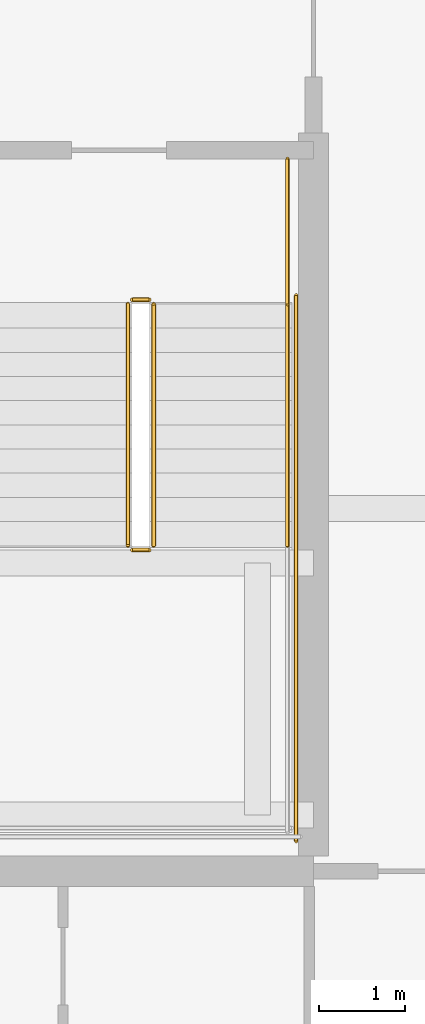
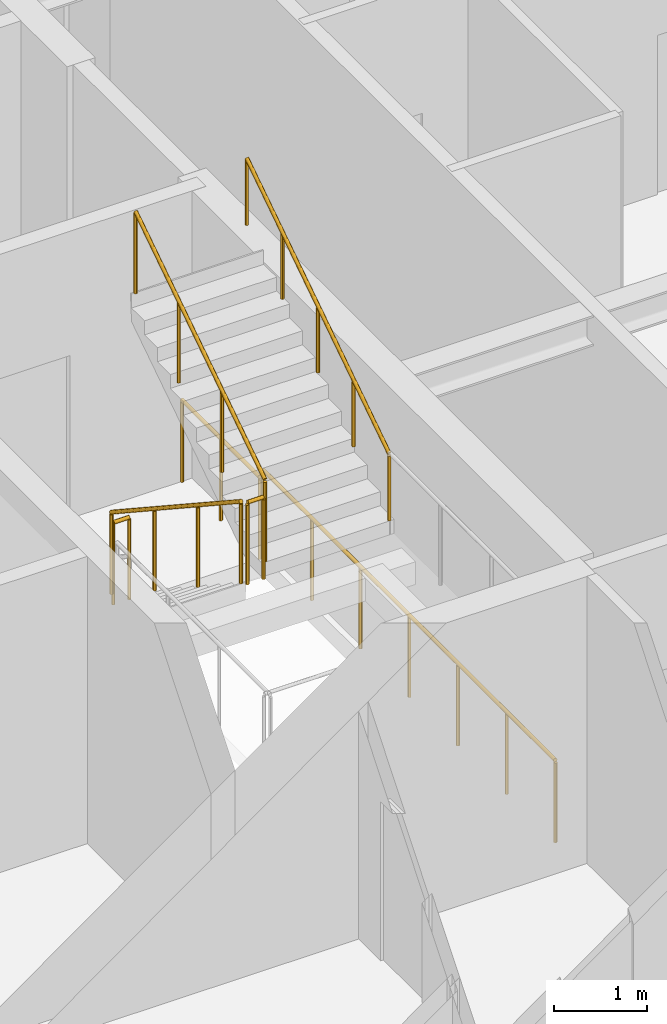
# One storey, part 36 of 37: 7 railings.
"""IFC4 building model written with IfcOpenShell, lengths in metres."""

from ifc_helpers import new_model, si_unit, direction, frame, origin, origin_2d, place, context, subcontext, project, spatial, circle, extrude, material, type_object, element, save


model = new_model("IFC4")

# Units and contexts
model_context = context("Model", 3, precision=1e-05, world=origin(), true_north=direction((0.0, 1.0)))
body_context = subcontext(model_context, "Body", "Model", "MODEL_VIEW")
ifc_project = project(units=[si_unit("LENGTHUNIT", "METRE"), si_unit("AREAUNIT", "SQUARE_METRE"), si_unit("VOLUMEUNIT", "CUBIC_METRE"), si_unit("PLANEANGLEUNIT", "RADIAN"), si_unit("MASSUNIT", "GRAM", prefix="KILO")], contexts=[model_context])

# Site, building, storey
site_placement = place(None, origin())
site = spatial("IfcSite", under=ifc_project, at=site_placement, CompositionType="ELEMENT")
building_placement = place(site_placement, origin())
building = spatial("IfcBuilding", under=site, at=building_placement, Name="Serunith Strait Residences", CompositionType="ELEMENT")
storey_placement = place(building_placement, frame((0.0, 0.0, 305.60009765625)))
storey = spatial("IfcBuildingStorey", under=building, at=storey_placement, Name="L76", CompositionType="ELEMENT", Elevation=305.60009765625)

# Railings
ifc_material = material(Name="Brushed stainless steel 316L", Category="steel")
railing_type_1 = type_object("IfcRailingType", Name="RLG-STAIR-GUARD", PredefinedType="BALUSTRADE", material=ifc_material)
railing_1_placement = place(storey_placement, frame((39.25, 23.3701171875, 0.18408203125)))
element("IfcRailing", 1, at=railing_1_placement, inside=storey, type_object=railing_type_1, Name="L76 ST-2 stair guard 1", PredefinedType="BALUSTRADE", context=body_context, shape_type="SweptSolid", body=[
    extrude(circle(Radius=0.02392578125, at=origin_2d()), frame((0.0, -0.001708984375, 1.0771484375), z_axis=(0.0, -0.835597507184, 0.549342157483), x_axis=(1.0, 0.0, 0.0)), (0.0, 0.0, 1.0), 3.346923828125),
    extrude(circle(Radius=0.02099609375, at=origin_2d()), origin(), (0.0, 0.0, 1.0), 1.050048828125),
    extrude(circle(Radius=0.02099609375, at=origin_2d()), frame((0.0, -0.933349609375, 0.613525390625)), (0.0, 0.0, 1.0), 1.050048828125),
    extrude(circle(Radius=0.02099609375, at=origin_2d()), frame((0.0, -1.86669921875, 1.227294921875)), (0.0, 0.0, 1.0), 1.050048828125),
    extrude(circle(Radius=0.02099609375, at=origin_2d()), frame((0.0, -2.800048828125, 1.8408203125)), (0.0, 0.0, 1.0), 1.050048828125),
])
railing_2_placement = place(storey_placement, frame((39.300048828125, 20.52001953125, 2.02490234375)))
element("IfcRailing", 2, at=railing_2_placement, inside=storey, type_object=railing_type_1, Name="L76 ST-2 stair guard 2", PredefinedType="BALUSTRADE", context=body_context, shape_type="SweptSolid", body=[
    extrude(circle(Radius=0.02392578125, at=origin_2d()), frame((0.001953125, 0.0, 1.076171875), z_axis=(1.0, 0.0, 0.0), x_axis=(0.0, 1.0, 0.0)), (0.0, 0.0, 1.0), 0.196044921875),
    extrude(circle(Radius=0.02099609375, at=origin_2d()), origin(), (0.0, 0.0, 1.0), 1.050048828125),
    extrude(circle(Radius=0.02099609375, at=origin_2d()), frame((0.199951171875, 0.0, 0.0)), (0.0, 0.0, 1.0), 1.050048828125),
])
railing_3_placement = place(storey_placement, frame((39.550048828125, 20.570068359375, 2.208984375)))
element("IfcRailing", 3, at=railing_3_placement, inside=storey, type_object=railing_type_1, Name="L76 ST-2 stair guard 6", PredefinedType="BALUSTRADE", context=body_context, shape_type="SweptSolid", body=[
    extrude(circle(Radius=0.02392578125, at=origin_2d()), frame((0.0, 0.001708984375, 1.0771484375), z_axis=(0.0, 0.835597507184, 0.549342157483), x_axis=(-1.0, 0.0, 0.0)), (0.0, 0.0, 1.0), 3.346923828125),
    extrude(circle(Radius=0.02099609375, at=origin_2d()), origin(), (0.0, 0.0, 1.0), 1.050048828125),
    extrude(circle(Radius=0.02099609375, at=origin_2d()), frame((0.0, 0.933349609375, 0.613525390625)), (0.0, 0.0, 1.0), 1.050048828125),
    extrude(circle(Radius=0.02099609375, at=origin_2d()), frame((0.0, 1.86669921875, 1.227294921875)), (0.0, 0.0, 1.0), 1.050048828125),
    extrude(circle(Radius=0.02099609375, at=origin_2d()), frame((0.0, 2.800048828125, 1.8408203125)), (0.0, 0.0, 1.0), 1.050048828125),
])
railing_4_placement = place(storey_placement, frame((39.300048828125, 23.419921875, 0.0)))
element("IfcRailing", 4, at=railing_4_placement, inside=storey, type_object=railing_type_1, Name="L76 ST-2 stair guard 7", PredefinedType="BALUSTRADE", context=body_context, shape_type="SweptSolid", body=[
    extrude(circle(Radius=0.02392578125, at=origin_2d()), frame((0.001953125, 0.0, 1.076171875), z_axis=(1.0, 0.0, 0.0), x_axis=(0.0, 1.0, 0.0)), (0.0, 0.0, 1.0), 0.196044921875),
    extrude(circle(Radius=0.02099609375, at=origin_2d()), origin(), (0.0, 0.0, 1.0), 1.050048828125),
    extrude(circle(Radius=0.02099609375, at=origin_2d()), frame((0.199951171875, 0.0, 0.0)), (0.0, 0.0, 1.0), 1.050048828125),
])
railing_5_placement = place(storey_placement, frame((41.10009765625, 25.050048828125, 0.0)))
element("IfcRailing", 5, at=railing_5_placement, inside=storey, type_object=railing_type_1, Name="L76 ST-2 stair guard 9", PredefinedType="BALUSTRADE", context=body_context, shape_type="SweptSolid", body=[
    extrude(circle(Radius=0.02392578125, at=origin_2d()), frame((0.0, -0.001953125, 1.076171875), z_axis=(0.0, -1.0, 0.0), x_axis=(1.0, 0.0, 0.0)), (0.0, 0.0, 1.0), 1.676025390625),
    extrude(circle(Radius=0.02099609375, at=origin_2d()), origin(), (0.0, 0.0, 1.0), 1.050048828125),
    extrude(circle(Radius=0.02099609375, at=origin_2d()), frame((0.0, -0.83984375, 0.0)), (0.0, 0.0, 1.0), 1.050048828125),
    extrude(circle(Radius=0.02099609375, at=origin_2d()), frame((0.0, -1.679931640625, 0.0)), (0.0, 0.0, 1.0), 1.050048828125),
])
railing_6_placement = place(storey_placement, frame((41.199951171875, 23.469970703125, 0.0)))
element("IfcRailing", 6, at=railing_6_placement, inside=storey, type_object=railing_type_1, Name="L76 ST-2 stair guard 11", PredefinedType="BALUSTRADE", context=body_context, shape_type="SweptSolid", body=[
    extrude(circle(Radius=0.02392578125, at=origin_2d()), frame((0.0, -0.001953125, 1.076171875), z_axis=(0.0, -1.0, 0.0), x_axis=(1.0, 0.0, 0.0)), (0.0, 0.0, 1.0), 6.316162109375),
    extrude(circle(Radius=0.02099609375, at=origin_2d()), origin(), (0.0, 0.0, 1.0), 1.050048828125),
    extrude(circle(Radius=0.02099609375, at=origin_2d()), frame((0.0, -1.05322265625, 0.0)), (0.0, 0.0, 1.0), 1.050048828125),
    extrude(circle(Radius=0.02099609375, at=origin_2d()), frame((0.0, -2.106689453125, 0.0)), (0.0, 0.0, 1.0), 1.050048828125),
    extrude(circle(Radius=0.02099609375, at=origin_2d()), frame((0.0, -3.16015625, 0.0)), (0.0, 0.0, 1.0), 1.050048828125),
    extrude(circle(Radius=0.02099609375, at=origin_2d()), frame((0.0, -4.21337890625, 0.0)), (0.0, 0.0, 1.0), 1.050048828125),
    extrude(circle(Radius=0.02099609375, at=origin_2d()), frame((0.0, -5.2666015625, 0.0)), (0.0, 0.0, 1.0), 1.050048828125),
    extrude(circle(Radius=0.02099609375, at=origin_2d()), frame((0.0, -6.320068359375, 0.0)), (0.0, 0.0, 1.0), 1.050048828125),
])
railing_type_2 = type_object("IfcRailingType", Name="RLG-STAIR-HR", PredefinedType="HANDRAIL", material=ifc_material)
railing_7_placement = place(storey_placement, frame((41.10009765625, 20.570068359375, 2.208984375)))
element("IfcRailing", 7, at=railing_7_placement, inside=storey, type_object=railing_type_2, Name="L76 ST-2 stair handrail 2", PredefinedType="HANDRAIL", context=body_context, shape_type="SweptSolid", body=[
    extrude(circle(Radius=0.02392578125, at=origin_2d()), frame((0.0, 0.001708984375, 0.876953125), z_axis=(0.0, 0.834940924727, 0.550339579002), x_axis=(-1.0, 0.0, 0.0)), (0.0, 0.0, 1.0), 3.6845703125),
    extrude(circle(Radius=0.02099609375, at=origin_2d()), origin(), (0.0, 0.0, 1.0), 0.849853515625),
    extrude(circle(Radius=0.02099609375, at=origin_2d()), frame((0.0, 0.77001953125, 0.507568359375)), (0.0, 0.0, 1.0), 0.849853515625),
    extrude(circle(Radius=0.02099609375, at=origin_2d()), frame((0.0, 1.5400390625, 1.01513671875)), (0.0, 0.0, 1.0), 0.849853515625),
    extrude(circle(Radius=0.02099609375, at=origin_2d()), frame((0.0, 2.309814453125, 1.5224609375)), (0.0, 0.0, 1.0), 0.849853515625),
    extrude(circle(Radius=0.02099609375, at=origin_2d()), frame((0.0, 3.079833984375, 2.030029296875)), (0.0, 0.0, 1.0), 0.849853515625),
])

save(model, "model.ifc")
